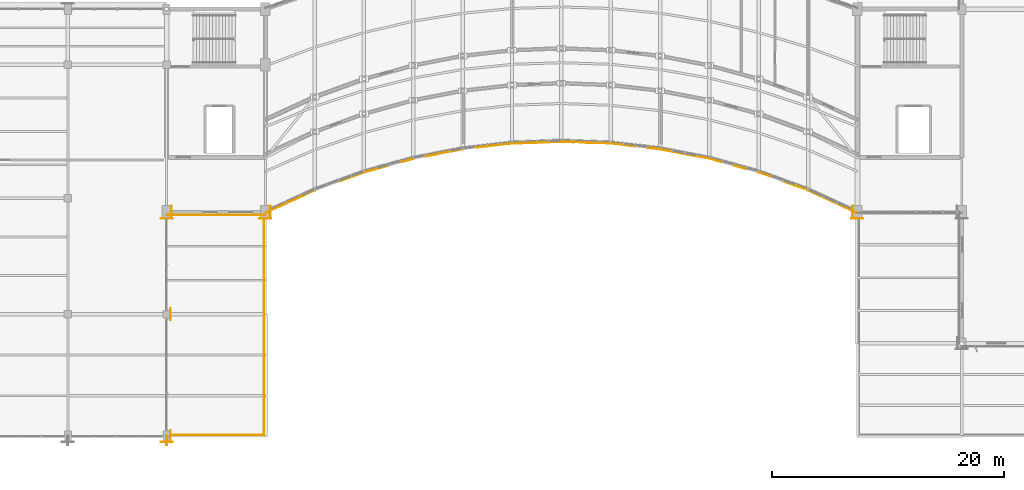
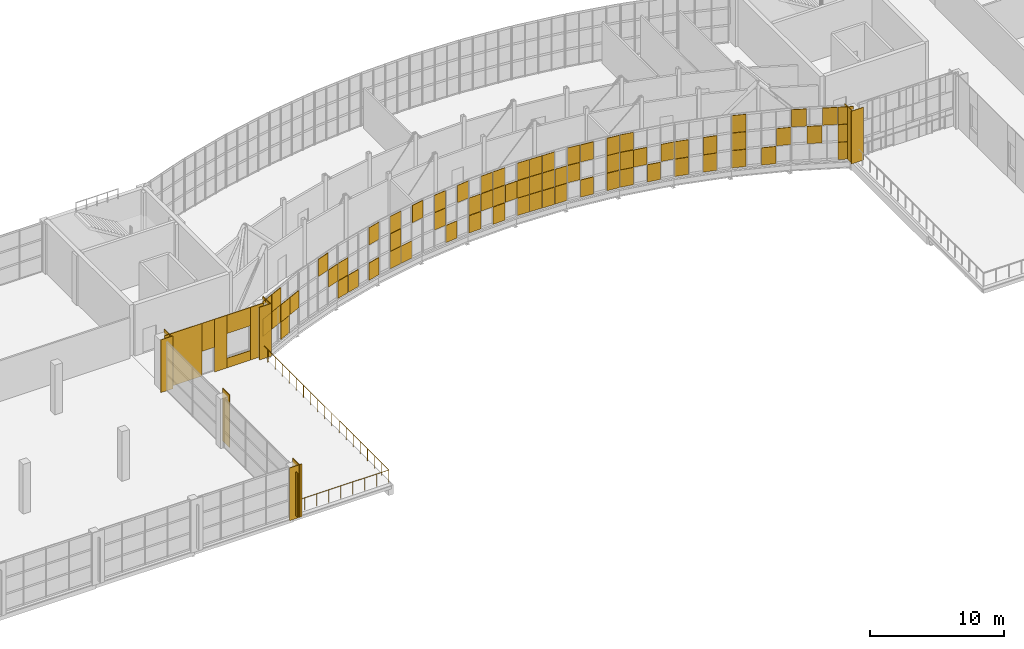
# One storey, part 80 of 86: 85 coverings, 1 railing, 1 shading device.
"""IFC4 building model written with IfcOpenShell, lengths in metres."""

from ifc_helpers import new_model, si_unit, direction, frame, origin, origin_2d, place, context, subcontext, project, spatial, rectangle, hollow_rectangle, circle, extrude, material, layer, layer_set, material_profile, profile_set, type_object, element, save


model = new_model("IFC4")

# Units and contexts
model_context = context("Model", 3, precision=1e-05, world=origin(), true_north=direction((0.0, 1.0)))
body_context = subcontext(model_context, "Body", "Model", "MODEL_VIEW")
ifc_project = project(units=[si_unit("LENGTHUNIT", "METRE"), si_unit("AREAUNIT", "SQUARE_METRE"), si_unit("VOLUMEUNIT", "CUBIC_METRE"), si_unit("PLANEANGLEUNIT", "RADIAN"), si_unit("MASSUNIT", "GRAM", prefix="KILO")], contexts=[model_context])

# Site, building, storey
site_placement = place(None, origin())
site = spatial("IfcSite", under=ifc_project, at=site_placement, CompositionType="ELEMENT")
building_placement = place(site_placement, origin())
building = spatial("IfcBuilding", under=site, at=building_placement, Name="Solvikara Media Centre", CompositionType="ELEMENT")
storey_placement = place(building_placement, frame((0.0, 0.0, 15.0)))
storey = spatial("IfcBuildingStorey", under=building, at=storey_placement, Name="L03", CompositionType="ELEMENT", Elevation=15.0)

# Coverings
ifc_material_1 = material(Name="GFRC white mineral architectural rainscreen panel")
ifc_layer_1 = layer(ifc_material_1, 0.050048828125)
ifc_layer_set_1 = layer_set([ifc_layer_1], Name="GFRC white mineral architectural rainscreen panel")
covering_type_1 = type_object("IfcCoveringType", Name="CV-04", PredefinedType="CLADDING", material=ifc_layer_set_1)
for number, where, z_axis, x_axis, name in (
    (1, (68.324951171875, 0.0, 0.0), (0.0, 0.0, 1.0), (0.0, 1.0, 0.0), "PIL-L03-142"),
    (2, (68.0, -0.47509765625, 0.0), (0.0, 0.0, 1.0), (1.0, 0.0, 0.0), "PIL-L03-143"),
    (3, (68.35009765625, 10.5, 0.0), (0.0, 0.0, 1.0), (0.0, 1.0, 0.0), "PIL-L03-148"),
    (4, (68.425048828125, 19.323974609375, 0.0), (0.0, 0.0, 1.0), (0.0, 1.0, 0.0), "PIL-L03-163"),
    (5, (68.0, 18.7490234375, 0.0), (0.0, 0.0, 1.0), (1.0, 0.0, 0.0), "PIL-L03-164"),
    (6, (76.925048828125, 19.323974609375, 0.0), (0.0, 0.0, 1.0), (0.0, 1.0, 0.0), "PIL-L03-177"),
    (7, (76.5, 18.7490234375, 0.0), (0.0, 0.0, 1.0), (1.0, 0.0, 0.0), "PIL-L03-178"),
    (8, (127.5, 18.7490234375, 0.0), (0.0, 0.0, 1.0), (1.0, 0.0, 0.0), "PIL-L03-259"),
    (9, (127.074951171875, 19.323974609375, 0.0), (0.0, 0.0, 1.0), (0.0, -1.0, 0.0), "PIL-L03-260"),
):
    element("IfcCovering", number, at=place(storey_placement, frame(where, z_axis=z_axis, x_axis=x_axis)), inside=storey, type_object=covering_type_1, Name=name, PredefinedType="CLADDING", context=body_context, shape_type="SweptSolid", body=[
        extrude(rectangle(XDim=1.0400390625, YDim=0.050048828125, at=origin_2d()), origin(), (0.0, 0.0, 1.0), 4.800048828125),
    ])
for number, where, z_axis, x_axis, name in (
    (10, (78.133056640625, 19.971923828125, 3.21484375), (0.0, 0.0, 1.0), (0.908675846917, 0.417502341586, 0.0), "CW-L03-SARC-00-SF-12"),
    (11, (79.195068359375, 20.4609375, 1.61474609375), (0.0, 0.0, 1.0), (0.908187010791, 0.418564634711, 0.0), "CW-L03-SARC-00-SF-21"),
    (12, (80.258056640625, 20.948974609375, 1.61474609375), (0.0, 0.0, 1.0), (0.908675846917, 0.417502341586, 0.0), "CW-L03-SARC-00-SF-31"),
):
    element("IfcCovering", number, at=place(storey_placement, frame(where, z_axis=z_axis, x_axis=x_axis)), inside=storey, type_object=covering_type_1, Name=name, PredefinedType="CLADDING", context=body_context, shape_type="SweptSolid", body=[
        extrude(rectangle(XDim=1.139892578125, YDim=0.050048828125, at=origin_2d()), origin(), (0.0, 0.0, 1.0), 1.570068359375),
    ])
covering_1_placement = place(storey_placement, frame((83.43896484375, 22.156005859375, 3.21484375), z_axis=(0.0, 0.0, 1.0), x_axis=(0.939901373663, 0.341446053991, 0.0)))
element("IfcCovering", 13, at=covering_1_placement, inside=storey, type_object=covering_type_1, Name="CW-L03-SARC-01-SF-22", PredefinedType="CLADDING", context=body_context, shape_type="SweptSolid", body=[
    extrude(rectangle(XDim=1.10107421875, YDim=0.050048828125, at=origin_2d()), origin(), (0.0, 0.0, 1.0), 1.570068359375),
])
covering_2_placement = place(storey_placement, frame((84.5009765625, 22.54296875, 1.61474609375), z_axis=(0.0, 0.0, 1.0), x_axis=(0.939794058841, 0.341741315862, 0.0)))
element("IfcCovering", 14, at=covering_2_placement, inside=storey, type_object=covering_type_1, Name="CW-L03-SARC-01-SF-31", PredefinedType="CLADDING", context=body_context, shape_type="SweptSolid", body=[
    extrude(rectangle(XDim=1.10009765625, YDim=0.050048828125, at=origin_2d()), origin(), (0.0, 0.0, 1.0), 1.570068359375),
])
for number, where, z_axis, x_axis, name in (
    (15, (85.555908203125, 22.8798828125, 0.01513671875), (0.0, 0.0, 1.0), (0.964049041264, 0.265724379832, 0.0), "CW-L03-SARC-02-SF-00"),
    (16, (86.618896484375, 23.172119140625, 0.01513671875), (0.0, 0.0, 1.0), (0.964049041264, 0.265724379832, 0.0), "CW-L03-SARC-02-SF-10"),
    (17, (88.743896484375, 23.758056640625, 0.01513671875), (0.0, 0.0, 1.0), (0.964049041264, 0.265724379832, 0.0), "CW-L03-SARC-02-SF-30"),
):
    element("IfcCovering", number, at=place(storey_placement, frame(where, z_axis=z_axis, x_axis=x_axis)), inside=storey, type_object=covering_type_1, Name=name, PredefinedType="CLADDING", context=body_context, shape_type="SweptSolid", body=[
        extrude(rectangle(XDim=1.072998046875, YDim=0.050048828125, at=origin_2d()), origin(), (0.0, 0.0, 1.0), 1.570068359375),
    ])
for number, where, z_axis, x_axis, name in (
    (18, (90.862060546875, 24.2119140625, 1.61474609375), (0.0, 0.0, 1.0), (0.981766789998, 0.190089373868, 0.0), "CW-L03-SARC-03-SF-11"),
    (19, (92.987060546875, 24.623046875, 3.21484375), (0.0, 0.0, 1.0), (0.981766789998, 0.190089373868, 0.0), "CW-L03-SARC-03-SF-32"),
):
    element("IfcCovering", number, at=place(storey_placement, frame(where, z_axis=z_axis, x_axis=x_axis)), inside=storey, type_object=covering_type_1, Name=name, PredefinedType="CLADDING", context=body_context, shape_type="SweptSolid", body=[
        extrude(rectangle(XDim=1.052001953125, YDim=0.050048828125, at=origin_2d()), origin(), (0.0, 0.0, 1.0), 1.570068359375),
    ])
covering_3_placement = place(storey_placement, frame((98.284912109375, 25.23193359375, 0.01513671875), z_axis=(0.0, 0.0, 1.0), x_axis=(0.999286838934, 0.037759946144, 0.0)))
element("IfcCovering", 20, at=covering_3_placement, inside=storey, type_object=covering_type_1, Name="CW-L03-SARC-05-SF-00", PredefinedType="CLADDING", context=body_context, shape_type="SweptSolid", body=[
    extrude(rectangle(XDim=1.032958984375, YDim=0.050048828125, at=origin_2d()), origin(), (0.0, 0.0, 1.0), 1.570068359375),
])
covering_4_placement = place(storey_placement, frame((99.346923828125, 25.27099609375, 1.61474609375), z_axis=(0.0, 0.0, 1.0), x_axis=(0.999288156396, 0.03772506443, 0.0)))
element("IfcCovering", 21, at=covering_4_placement, inside=storey, type_object=covering_type_1, Name="CW-L03-SARC-05-SF-11", PredefinedType="CLADDING", context=body_context, shape_type="SweptSolid", body=[
    extrude(rectangle(XDim=1.033935546875, YDim=0.050048828125, at=origin_2d()), origin(), (0.0, 0.0, 1.0), 1.570068359375),
])
covering_5_placement = place(storey_placement, frame((100.409912109375, 25.31201171875, 0.01513671875), z_axis=(0.0, 0.0, 1.0), x_axis=(0.999286838934, 0.037759946144, 0.0)))
element("IfcCovering", 22, at=covering_5_placement, inside=storey, type_object=covering_type_1, Name="CW-L03-SARC-05-SF-20", PredefinedType="CLADDING", context=body_context, shape_type="SweptSolid", body=[
    extrude(rectangle(XDim=1.032958984375, YDim=0.050048828125, at=origin_2d()), origin(), (0.0, 0.0, 1.0), 1.570068359375),
])
for number, where, z_axis, x_axis, name in (
    (23, (101.471923828125, 25.35205078125, 1.61474609375), (0.0, 0.0, 1.0), (0.999288156396, 0.03772506443, 0.0), "CW-L03-SARC-05-SF-31"),
    (24, (102.528076171875, 25.35205078125, 1.61474609375), (0.0, 0.0, 1.0), (0.999288156396, -0.03772506443, 0.0), "CW-L03-SARC-06-SF-01"),
    (25, (104.653076171875, 25.27099609375, 0.01513671875), (0.0, 0.0, 1.0), (0.999288156396, -0.03772506443, 0.0), "CW-L03-SARC-06-SF-20"),
):
    element("IfcCovering", number, at=place(storey_placement, frame(where, z_axis=z_axis, x_axis=x_axis)), inside=storey, type_object=covering_type_1, Name=name, PredefinedType="CLADDING", context=body_context, shape_type="SweptSolid", body=[
        extrude(rectangle(XDim=1.033935546875, YDim=0.050048828125, at=origin_2d()), origin(), (0.0, 0.0, 1.0), 1.570068359375),
    ])
for number, where, z_axis, x_axis, name in (
    (26, (107.8330078125, 25.029052734375, 0.01513671875), (0.0, 0.0, 1.0), (0.993526332942, -0.113602049942, 0.0), "CW-L03-SARC-07-SF-10"),
    (27, (107.8330078125, 25.029052734375, 3.21484375), (0.0, 0.0, 1.0), (0.993526332942, -0.113602049942, 0.0), "CW-L03-SARC-07-SF-12"),
    (28, (109.9580078125, 24.784912109375, 0.01513671875), (0.0, 0.0, 1.0), (0.993416825068, -0.114555714269, 0.0), "CW-L03-SARC-07-SF-30"),
    (29, (109.9580078125, 24.784912109375, 3.21484375), (0.0, 0.0, 1.0), (0.993416825068, -0.114555714269, 0.0), "CW-L03-SARC-07-SF-32"),
):
    element("IfcCovering", number, at=place(storey_placement, frame(where, z_axis=z_axis, x_axis=x_axis)), inside=storey, type_object=covering_type_1, Name=name, PredefinedType="CLADDING", context=body_context, shape_type="SweptSolid", body=[
        extrude(rectangle(XDim=1.0390625, YDim=0.050048828125, at=origin_2d()), origin(), (0.0, 0.0, 1.0), 1.570068359375),
    ])
for number, where, z_axis, x_axis, name in (
    (30, (111.012939453125, 24.623046875, 1.61474609375), (0.0, 0.0, 1.0), (0.981766789998, -0.190089373868, 0.0), "CW-L03-SARC-08-SF-01"),
    (31, (112.075927734375, 24.41796875, 1.61474609375), (0.0, 0.0, 1.0), (0.981945508951, -0.18916399618, 0.0), "CW-L03-SARC-08-SF-11"),
    (32, (113.137939453125, 24.2119140625, 0.01513671875), (0.0, 0.0, 1.0), (0.981766789998, -0.190089373868, 0.0), "CW-L03-SARC-08-SF-20"),
):
    element("IfcCovering", number, at=place(storey_placement, frame(where, z_axis=z_axis, x_axis=x_axis)), inside=storey, type_object=covering_type_1, Name=name, PredefinedType="CLADDING", context=body_context, shape_type="SweptSolid", body=[
        extrude(rectangle(XDim=1.052001953125, YDim=0.050048828125, at=origin_2d()), origin(), (0.0, 0.0, 1.0), 1.570068359375),
    ])
covering_6_placement = place(storey_placement, frame((117.381103515625, 23.172119140625, 1.61474609375), z_axis=(0.0, 0.0, 1.0), x_axis=(0.964049041264, -0.265724379832, 0.0)))
element("IfcCovering", 33, at=covering_6_placement, inside=storey, type_object=covering_type_1, Name="CW-L03-SARC-09-SF-21", PredefinedType="CLADDING", context=body_context, shape_type="SweptSolid", body=[
    extrude(rectangle(XDim=1.072998046875, YDim=0.050048828125, at=origin_2d()), origin(), (0.0, 0.0, 1.0), 1.570068359375),
])
covering_7_placement = place(storey_placement, frame((121.6240234375, 21.77001953125, 0.01513671875), z_axis=(0.0, 0.0, 1.0), x_axis=(0.939794058841, -0.341741315862, 0.0)))
element("IfcCovering", 34, at=covering_7_placement, inside=storey, type_object=covering_type_1, Name="CW-L03-SARC-10-SF-20", PredefinedType="CLADDING", context=body_context, shape_type="SweptSolid", body=[
    extrude(rectangle(XDim=1.10009765625, YDim=0.050048828125, at=origin_2d()), origin(), (0.0, 0.0, 1.0), 1.570068359375),
])
for number, where, z_axis, x_axis, name in (
    (35, (123.741943359375, 20.948974609375, 3.21484375), (0.0, 0.0, 1.0), (0.908675846917, -0.417502341586, 0.0), "CW-L03-SARC-11-SF-02"),
    (36, (124.804931640625, 20.4609375, 1.61474609375), (0.0, 0.0, 1.0), (0.908187010791, -0.418564634711, 0.0), "CW-L03-SARC-11-SF-11"),
    (37, (125.866943359375, 19.971923828125, 3.21484375), (0.0, 0.0, 1.0), (0.908675846917, -0.417502341586, 0.0), "CW-L03-SARC-11-SF-22"),
):
    element("IfcCovering", number, at=place(storey_placement, frame(where, z_axis=z_axis, x_axis=x_axis)), inside=storey, type_object=covering_type_1, Name=name, PredefinedType="CLADDING", context=body_context, shape_type="SweptSolid", body=[
        extrude(rectangle(XDim=1.139892578125, YDim=0.050048828125, at=origin_2d()), origin(), (0.0, 0.0, 1.0), 1.570068359375),
    ])
for number, where, z_axis, x_axis, name in (
    (38, (126.929931640625, 19.48291015625, 0.01513671875), (0.0, 0.0, 1.0), (0.908522763286, -0.417835360629, 0.0), "CW-L03-SARC-11-SF-30"),
    (39, (126.929931640625, 19.48291015625, 1.61474609375), (0.0, 0.0, 1.0), (0.908522763286, -0.417835360629, 0.0), "CW-L03-SARC-11-SF-31"),
    (40, (126.929931640625, 19.48291015625, 3.21484375), (0.0, 0.0, 1.0), (0.908522763286, -0.417835360629, 0.0), "CW-L03-SARC-11-SF-32"),
):
    element("IfcCovering", number, at=place(storey_placement, frame(where, z_axis=z_axis, x_axis=x_axis)), inside=storey, type_object=covering_type_1, Name=name, PredefinedType="CLADDING", context=body_context, shape_type="SweptSolid", body=[
        extrude(rectangle(XDim=1.138916015625, YDim=0.050048828125, at=origin_2d()), origin(), (0.0, 0.0, 1.0), 1.570068359375),
    ])
covering_8_placement = place(storey_placement, frame((69.60009765625, 19.0791015625, 0.0), z_axis=(0.0, 0.0, 1.0), x_axis=(1.0, 0.0, 0.0)))
element("IfcCovering", 41, at=covering_8_placement, inside=storey, type_object=covering_type_1, Name="L03-BHWS-CV-F01", PredefinedType="CLADDING", context=body_context, shape_type="SweptSolid", body=[
    extrude(rectangle(XDim=3.199951171875, YDim=0.050048828125, at=origin_2d()), origin(), (0.0, 0.0, 1.0), 4.800048828125),
])
covering_9_placement = place(storey_placement, frame((71.75, 19.0791015625, 2.25), z_axis=(0.0, 0.0, 1.0), x_axis=(1.0, 0.0, 0.0)))
element("IfcCovering", 42, at=covering_9_placement, inside=storey, type_object=covering_type_1, Name="L03-BHWS-CV-D02", PredefinedType="CLADDING", context=body_context, shape_type="SweptSolid", body=[
    extrude(rectangle(XDim=1.10009765625, YDim=0.050048828125, at=origin_2d()), origin(), (0.0, 0.0, 1.0), 2.550048828125),
])
covering_10_placement = place(storey_placement, frame((72.837890625, 19.0791015625, 0.0), z_axis=(0.0, 0.0, 1.0), x_axis=(1.0, 0.0, 0.0)))
element("IfcCovering", 43, at=covering_10_placement, inside=storey, type_object=covering_type_1, Name="L03-BHWS-CV-F03", PredefinedType="CLADDING", context=body_context, shape_type="SweptSolid", body=[
    extrude(rectangle(XDim=1.074951171875, YDim=0.050048828125, at=origin_2d()), origin(), (0.0, 0.0, 1.0), 4.800048828125),
])
covering_11_placement = place(storey_placement, frame((74.375, 19.0791015625, 0.0), z_axis=(0.0, 0.0, 1.0), x_axis=(1.0, 0.0, 0.0)))
element("IfcCovering", 44, at=covering_11_placement, inside=storey, type_object=covering_type_1, Name="L03-BHWS-CV-S04", PredefinedType="CLADDING", context=body_context, shape_type="SweptSolid", body=[
    extrude(rectangle(XDim=2.0, YDim=0.050048828125, at=origin_2d()), origin(), (0.0, 0.0, 1.0), 0.8701171875),
])
covering_12_placement = place(storey_placement, frame((74.375, 19.0791015625, 3.130126953125), z_axis=(0.0, 0.0, 1.0), x_axis=(1.0, 0.0, 0.0)))
element("IfcCovering", 45, at=covering_12_placement, inside=storey, type_object=covering_type_1, Name="L03-BHWS-CV-H04", PredefinedType="CLADDING", context=body_context, shape_type="SweptSolid", body=[
    extrude(rectangle(XDim=2.0, YDim=0.050048828125, at=origin_2d()), origin(), (0.0, 0.0, 1.0), 1.669921875),
])
covering_13_placement = place(storey_placement, frame((75.93798828125, 19.0791015625, 0.0), z_axis=(0.0, 0.0, 1.0), x_axis=(1.0, 0.0, 0.0)))
element("IfcCovering", 46, at=covering_13_placement, inside=storey, type_object=covering_type_1, Name="L03-BHWS-CV-F05", PredefinedType="CLADDING", context=body_context, shape_type="SweptSolid", body=[
    extrude(rectangle(XDim=1.125, YDim=0.050048828125, at=origin_2d()), origin(), (0.0, 0.0, 1.0), 4.800048828125),
])
ifc_material_2 = material(Name="Insulated silver-pearl glass spandrel panel", Category="glass")
ifc_layer_2 = layer(ifc_material_2, 0.034912109375)
ifc_layer_set_2 = layer_set([ifc_layer_2], Name="Insulated silver-pearl glass spandrel panel")
covering_type_2 = type_object("IfcCoveringType", Name="CV-06", PredefinedType="CLADDING", material=ifc_layer_set_2)
for number, where, z_axis, x_axis, name in (
    (47, (77.06689453125, 19.491943359375, 1.61474609375), (0.0, 0.0, 1.0), (0.908522763286, 0.417835360629, 0.0), "CW-L03-SARC-00-PX-01"),
    (48, (77.06689453125, 19.491943359375, 3.21484375), (0.0, 0.0, 1.0), (0.908522763286, 0.417835360629, 0.0), "CW-L03-SARC-00-PX-02"),
    (49, (78.12890625, 19.98095703125, 1.61474609375), (0.0, 0.0, 1.0), (0.908522763286, 0.417835360629, 0.0), "CW-L03-SARC-00-PX-11"),
):
    element("IfcCovering", number, at=place(storey_placement, frame(where, z_axis=z_axis, x_axis=x_axis)), inside=storey, type_object=covering_type_2, Name=name, PredefinedType="CLADDING", context=body_context, shape_type="SweptSolid", body=[
        extrude(rectangle(XDim=1.138916015625, YDim=0.034912109375, at=origin_2d()), origin(), (0.0, 0.0, 1.0), 1.570068359375),
    ])
covering_14_placement = place(storey_placement, frame((79.19189453125, 20.469970703125, 0.01513671875), z_axis=(0.0, 0.0, 1.0), x_axis=(0.908187010791, 0.418564634711, 0.0)))
element("IfcCovering", 50, at=covering_14_placement, inside=storey, type_object=covering_type_2, Name="CW-L03-SARC-00-PX-20", PredefinedType="CLADDING", context=body_context, shape_type="SweptSolid", body=[
    extrude(rectangle(XDim=1.139892578125, YDim=0.034912109375, at=origin_2d()), origin(), (0.0, 0.0, 1.0), 1.570068359375),
])
covering_15_placement = place(storey_placement, frame((85.552978515625, 22.888916015625, 1.61474609375), z_axis=(0.0, 0.0, 1.0), x_axis=(0.963984083771, 0.265959933516, 0.0)))
element("IfcCovering", 51, at=covering_15_placement, inside=storey, type_object=covering_type_2, Name="CW-L03-SARC-02-PX-01", PredefinedType="CLADDING", context=body_context, shape_type="SweptSolid", body=[
    extrude(rectangle(XDim=1.072021484375, YDim=0.034912109375, at=origin_2d()), origin(), (0.0, 0.0, 1.0), 1.570068359375),
])
covering_16_placement = place(storey_placement, frame((88.740966796875, 23.76904296875, 3.21484375), z_axis=(0.0, 0.0, 1.0), x_axis=(0.964049041264, 0.265724379832, 0.0)))
element("IfcCovering", 52, at=covering_16_placement, inside=storey, type_object=covering_type_2, Name="CW-L03-SARC-02-PX-32", PredefinedType="CLADDING", context=body_context, shape_type="SweptSolid", body=[
    extrude(rectangle(XDim=1.072998046875, YDim=0.034912109375, at=origin_2d()), origin(), (0.0, 0.0, 1.0), 1.570068359375),
])
for number, where, z_axis, x_axis, name in (
    (53, (90.85888671875, 24.221923828125, 0.01513671875), (0.0, 0.0, 1.0), (0.981766789998, 0.190089373868, 0.0), "CW-L03-SARC-03-PX-10"),
    (54, (90.85888671875, 24.221923828125, 3.21484375), (0.0, 0.0, 1.0), (0.981766789998, 0.190089373868, 0.0), "CW-L03-SARC-03-PX-12"),
    (55, (91.922119140625, 24.427001953125, 0.01513671875), (0.0, 0.0, 1.0), (0.981766789998, 0.190089373868, 0.0), "CW-L03-SARC-03-PX-20"),
):
    element("IfcCovering", number, at=place(storey_placement, frame(where, z_axis=z_axis, x_axis=x_axis)), inside=storey, type_object=covering_type_2, Name=name, PredefinedType="CLADDING", context=body_context, shape_type="SweptSolid", body=[
        extrude(rectangle(XDim=1.052001953125, YDim=0.034912109375, at=origin_2d()), origin(), (0.0, 0.0, 1.0), 1.570068359375),
    ])
for number, where, z_axis, x_axis, name in (
    (56, (95.10302734375, 24.9169921875, 1.61474609375), (0.0, 0.0, 1.0), (0.993538223873, 0.113498007485, 0.0), "CW-L03-SARC-04-PX-11"),
    (57, (95.10302734375, 24.9169921875, 3.21484375), (0.0, 0.0, 1.0), (0.993538223873, 0.113498007485, 0.0), "CW-L03-SARC-04-PX-12"),
    (58, (96.166015625, 25.0390625, 0.01513671875), (0.0, 0.0, 1.0), (0.993538223873, 0.113498007485, 0.0), "CW-L03-SARC-04-PX-20"),
    (59, (97.22802734375, 25.160888671875, 3.21484375), (0.0, 0.0, 1.0), (0.993538223873, 0.113498007485, 0.0), "CW-L03-SARC-04-PX-32"),
):
    element("IfcCovering", number, at=place(storey_placement, frame(where, z_axis=z_axis, x_axis=x_axis)), inside=storey, type_object=covering_type_2, Name=name, PredefinedType="CLADDING", context=body_context, shape_type="SweptSolid", body=[
        extrude(rectangle(XDim=1.0400390625, YDim=0.034912109375, at=origin_2d()), origin(), (0.0, 0.0, 1.0), 1.570068359375),
    ])
covering_17_placement = place(storey_placement, frame((98.284912109375, 25.241943359375, 1.61474609375), z_axis=(0.0, 0.0, 1.0), x_axis=(0.999288156396, 0.03772506443, 0.0)))
element("IfcCovering", 60, at=covering_17_placement, inside=storey, type_object=covering_type_2, Name="CW-L03-SARC-05-PX-01", PredefinedType="CLADDING", context=body_context, shape_type="SweptSolid", body=[
    extrude(rectangle(XDim=1.033935546875, YDim=0.034912109375, at=origin_2d()), origin(), (0.0, 0.0, 1.0), 1.570068359375),
])
covering_18_placement = place(storey_placement, frame((99.346923828125, 25.281982421875, 3.21484375), z_axis=(0.0, 0.0, 1.0), x_axis=(0.999286838934, 0.037759946144, 0.0)))
element("IfcCovering", 61, at=covering_18_placement, inside=storey, type_object=covering_type_2, Name="CW-L03-SARC-05-PX-12", PredefinedType="CLADDING", context=body_context, shape_type="SweptSolid", body=[
    extrude(rectangle(XDim=1.032958984375, YDim=0.034912109375, at=origin_2d()), origin(), (0.0, 0.0, 1.0), 1.570068359375),
])
for number, where, z_axis, x_axis, name in (
    (62, (100.409912109375, 25.322021484375, 1.61474609375), (0.0, 0.0, 1.0), (0.999288156396, 0.03772506443, 0.0), "CW-L03-SARC-05-PX-21"),
    (63, (100.409912109375, 25.322021484375, 3.21484375), (0.0, 0.0, 1.0), (0.999288156396, 0.03772506443, 0.0), "CW-L03-SARC-05-PX-22"),
):
    element("IfcCovering", number, at=place(storey_placement, frame(where, z_axis=z_axis, x_axis=x_axis)), inside=storey, type_object=covering_type_2, Name=name, PredefinedType="CLADDING", context=body_context, shape_type="SweptSolid", body=[
        extrude(rectangle(XDim=1.033935546875, YDim=0.034912109375, at=origin_2d()), origin(), (0.0, 0.0, 1.0), 1.570068359375),
    ])
for number, where, z_axis, x_axis, name in (
    (64, (102.528076171875, 25.363037109375, 0.01513671875), (0.0, 0.0, 1.0), (0.999286838934, -0.037759946144, 0.0), "CW-L03-SARC-06-PX-00"),
    (65, (102.528076171875, 25.363037109375, 3.21484375), (0.0, 0.0, 1.0), (0.999286838934, -0.037759946144, 0.0), "CW-L03-SARC-06-PX-02"),
):
    element("IfcCovering", number, at=place(storey_placement, frame(where, z_axis=z_axis, x_axis=x_axis)), inside=storey, type_object=covering_type_2, Name=name, PredefinedType="CLADDING", context=body_context, shape_type="SweptSolid", body=[
        extrude(rectangle(XDim=1.032958984375, YDim=0.034912109375, at=origin_2d()), origin(), (0.0, 0.0, 1.0), 1.570068359375),
    ])
for number, where, z_axis, x_axis, name in (
    (66, (103.590087890625, 25.322021484375, 0.01513671875), (0.0, 0.0, 1.0), (0.999288156396, -0.03772506443, 0.0), "CW-L03-SARC-06-PX-10"),
    (67, (103.590087890625, 25.322021484375, 1.61474609375), (0.0, 0.0, 1.0), (0.999288156396, -0.03772506443, 0.0), "CW-L03-SARC-06-PX-11"),
    (68, (103.590087890625, 25.322021484375, 3.21484375), (0.0, 0.0, 1.0), (0.999288156396, -0.03772506443, 0.0), "CW-L03-SARC-06-PX-12"),
):
    element("IfcCovering", number, at=place(storey_placement, frame(where, z_axis=z_axis, x_axis=x_axis)), inside=storey, type_object=covering_type_2, Name=name, PredefinedType="CLADDING", context=body_context, shape_type="SweptSolid", body=[
        extrude(rectangle(XDim=1.033935546875, YDim=0.034912109375, at=origin_2d()), origin(), (0.0, 0.0, 1.0), 1.570068359375),
    ])
for number, where, z_axis, x_axis, name in (
    (69, (104.653076171875, 25.281982421875, 1.61474609375), (0.0, 0.0, 1.0), (0.999286838934, -0.037759946144, 0.0), "CW-L03-SARC-06-PX-21"),
    (70, (104.653076171875, 25.281982421875, 3.21484375), (0.0, 0.0, 1.0), (0.999286838934, -0.037759946144, 0.0), "CW-L03-SARC-06-PX-22"),
):
    element("IfcCovering", number, at=place(storey_placement, frame(where, z_axis=z_axis, x_axis=x_axis)), inside=storey, type_object=covering_type_2, Name=name, PredefinedType="CLADDING", context=body_context, shape_type="SweptSolid", body=[
        extrude(rectangle(XDim=1.032958984375, YDim=0.034912109375, at=origin_2d()), origin(), (0.0, 0.0, 1.0), 1.570068359375),
    ])
for number, where, z_axis, x_axis, name in (
    (71, (105.715087890625, 25.241943359375, 0.01513671875), (0.0, 0.0, 1.0), (0.999288156396, -0.03772506443, 0.0), "CW-L03-SARC-06-PX-30"),
    (72, (105.715087890625, 25.241943359375, 1.61474609375), (0.0, 0.0, 1.0), (0.999288156396, -0.03772506443, 0.0), "CW-L03-SARC-06-PX-31"),
):
    element("IfcCovering", number, at=place(storey_placement, frame(where, z_axis=z_axis, x_axis=x_axis)), inside=storey, type_object=covering_type_2, Name=name, PredefinedType="CLADDING", context=body_context, shape_type="SweptSolid", body=[
        extrude(rectangle(XDim=1.033935546875, YDim=0.034912109375, at=origin_2d()), origin(), (0.0, 0.0, 1.0), 1.570068359375),
    ])
for number, where, z_axis, x_axis, name in (
    (73, (106.77197265625, 25.160888671875, 1.61474609375), (0.0, 0.0, 1.0), (0.993538223873, -0.113498007485, 0.0), "CW-L03-SARC-07-PX-01"),
    (74, (106.77197265625, 25.160888671875, 3.21484375), (0.0, 0.0, 1.0), (0.993538223873, -0.113498007485, 0.0), "CW-L03-SARC-07-PX-02"),
    (75, (109.958984375, 24.7958984375, 1.61474609375), (0.0, 0.0, 1.0), (0.993430813275, -0.114434344654, 0.0), "CW-L03-SARC-07-PX-31"),
):
    element("IfcCovering", number, at=place(storey_placement, frame(where, z_axis=z_axis, x_axis=x_axis)), inside=storey, type_object=covering_type_2, Name=name, PredefinedType="CLADDING", context=body_context, shape_type="SweptSolid", body=[
        extrude(rectangle(XDim=1.0400390625, YDim=0.034912109375, at=origin_2d()), origin(), (0.0, 0.0, 1.0), 1.570068359375),
    ])
for number, where, z_axis, x_axis, name in (
    (76, (111.01611328125, 24.633056640625, 0.01513671875), (0.0, 0.0, 1.0), (0.981766789998, -0.190089373868, 0.0), "CW-L03-SARC-08-PX-00"),
    (77, (111.01611328125, 24.633056640625, 3.21484375), (0.0, 0.0, 1.0), (0.981766789998, -0.190089373868, 0.0), "CW-L03-SARC-08-PX-02"),
    (78, (114.202880859375, 24.01611328125, 1.61474609375), (0.0, 0.0, 1.0), (0.981766789998, -0.190089373868, 0.0), "CW-L03-SARC-08-PX-31"),
):
    element("IfcCovering", number, at=place(storey_placement, frame(where, z_axis=z_axis, x_axis=x_axis)), inside=storey, type_object=covering_type_2, Name=name, PredefinedType="CLADDING", context=body_context, shape_type="SweptSolid", body=[
        extrude(rectangle(XDim=1.052001953125, YDim=0.034912109375, at=origin_2d()), origin(), (0.0, 0.0, 1.0), 1.570068359375),
    ])
for number, where, z_axis, x_axis, name in (
    (79, (115.259033203125, 23.76904296875, 0.01513671875), (0.0, 0.0, 1.0), (0.964049041264, -0.265724379832, 0.0), "CW-L03-SARC-09-PX-00"),
    (80, (115.259033203125, 23.76904296875, 1.61474609375), (0.0, 0.0, 1.0), (0.964049041264, -0.265724379832, 0.0), "CW-L03-SARC-09-PX-01"),
    (81, (117.384033203125, 23.181884765625, 0.01513671875), (0.0, 0.0, 1.0), (0.964049041264, -0.265724379832, 0.0), "CW-L03-SARC-09-PX-20"),
):
    element("IfcCovering", number, at=place(storey_placement, frame(where, z_axis=z_axis, x_axis=x_axis)), inside=storey, type_object=covering_type_2, Name=name, PredefinedType="CLADDING", context=body_context, shape_type="SweptSolid", body=[
        extrude(rectangle(XDim=1.072998046875, YDim=0.034912109375, at=origin_2d()), origin(), (0.0, 0.0, 1.0), 1.570068359375),
    ])
for number, where, z_axis, x_axis, name in (
    (82, (119.501953125, 22.552001953125, 0.01513671875), (0.0, 0.0, 1.0), (0.939901373663, -0.341446053991, 0.0), "CW-L03-SARC-10-PX-00"),
    (83, (119.501953125, 22.552001953125, 1.61474609375), (0.0, 0.0, 1.0), (0.939901373663, -0.341446053991, 0.0), "CW-L03-SARC-10-PX-01"),
    (84, (119.501953125, 22.552001953125, 3.21484375), (0.0, 0.0, 1.0), (0.939901373663, -0.341446053991, 0.0), "CW-L03-SARC-10-PX-02"),
):
    element("IfcCovering", number, at=place(storey_placement, frame(where, z_axis=z_axis, x_axis=x_axis)), inside=storey, type_object=covering_type_2, Name=name, PredefinedType="CLADDING", context=body_context, shape_type="SweptSolid", body=[
        extrude(rectangle(XDim=1.10107421875, YDim=0.034912109375, at=origin_2d()), origin(), (0.0, 0.0, 1.0), 1.570068359375),
    ])
covering_19_placement = place(storey_placement, frame((122.68994140625, 21.39306640625, 1.61474609375), z_axis=(0.0, 0.0, 1.0), x_axis=(0.939794058841, -0.341741315862, 0.0)))
element("IfcCovering", 85, at=covering_19_placement, inside=storey, type_object=covering_type_2, Name="CW-L03-SARC-10-PX-31", PredefinedType="CLADDING", context=body_context, shape_type="SweptSolid", body=[
    extrude(rectangle(XDim=1.10009765625, YDim=0.034912109375, at=origin_2d()), origin(), (0.0, 0.0, 1.0), 1.570068359375),
])

# Railing
ifc_material_3 = material(Name="Steel S355JR", Category="steel")
railing_type = type_object("IfcRailingType", Name="GR-01", PredefinedType="GUARDRAIL", material=ifc_material_3)
railing_placement = place(storey_placement, frame((68.1201171875, 0.1201171875, 0.0)))
element("IfcRailing", 86, at=railing_placement, inside=storey, type_object=railing_type, Name="GR-TER-L03-V6S", PredefinedType="GUARDRAIL", context=body_context, shape_type="SweptSolid", body=[
    extrude(circle(Radius=0.02392578125, at=origin_2d()), frame((0.0, 0.0, 1.1259765625), z_axis=(1.0, 0.0, 0.0), x_axis=(0.0, 1.0, 0.0)), (0.0, 0.0, 1.0), 8.259765625),
    extrude(circle(Radius=0.02392578125, at=origin_2d()), frame((8.259765625, 0.0, 1.1259765625), z_axis=(0.0, 1.0, 0.0), x_axis=(-1.0, 0.0, 0.0)), (0.0, 0.0, 1.0), 19.099853515625),
    extrude(circle(Radius=0.02099609375, at=origin_2d()), origin(), (0.0, 0.0, 1.0), 1.101806640625),
    extrude(circle(Radius=0.02099609375, at=origin_2d()), frame((1.032470703125, 0.0, 0.0)), (0.0, 0.0, 1.0), 1.101806640625),
    extrude(circle(Radius=0.02099609375, at=origin_2d()), frame((2.06494140625, 0.0, 0.0)), (0.0, 0.0, 1.0), 1.101806640625),
    extrude(circle(Radius=0.02099609375, at=origin_2d()), frame((3.097412109375, 0.0, 0.0)), (0.0, 0.0, 1.0), 1.101806640625),
    extrude(circle(Radius=0.02099609375, at=origin_2d()), frame((4.1298828125, 0.0, 0.0)), (0.0, 0.0, 1.0), 1.101806640625),
    extrude(circle(Radius=0.02099609375, at=origin_2d()), frame((5.162353515625, 0.0, 0.0)), (0.0, 0.0, 1.0), 1.101806640625),
    extrude(circle(Radius=0.02099609375, at=origin_2d()), frame((6.19482421875, 0.0, 0.0)), (0.0, 0.0, 1.0), 1.101806640625),
    extrude(circle(Radius=0.02099609375, at=origin_2d()), frame((7.227294921875, 0.0, 0.0)), (0.0, 0.0, 1.0), 1.101806640625),
    extrude(circle(Radius=0.02099609375, at=origin_2d()), frame((8.259765625, 0.0, 0.0)), (0.0, 0.0, 1.0), 1.101806640625),
    extrude(circle(Radius=0.02099609375, at=origin_2d()), frame((8.259765625, 1.06103515625, 0.0)), (0.0, 0.0, 1.0), 1.101806640625),
    extrude(circle(Radius=0.02099609375, at=origin_2d()), frame((8.259765625, 2.122314453125, 0.0)), (0.0, 0.0, 1.0), 1.101806640625),
    extrude(circle(Radius=0.02099609375, at=origin_2d()), frame((8.259765625, 3.183349609375, 0.0)), (0.0, 0.0, 1.0), 1.101806640625),
    extrude(circle(Radius=0.02099609375, at=origin_2d()), frame((8.259765625, 4.244384765625, 0.0)), (0.0, 0.0, 1.0), 1.101806640625),
    extrude(circle(Radius=0.02099609375, at=origin_2d()), frame((8.259765625, 5.305419921875, 0.0)), (0.0, 0.0, 1.0), 1.101806640625),
    extrude(circle(Radius=0.02099609375, at=origin_2d()), frame((8.259765625, 6.36669921875, 0.0)), (0.0, 0.0, 1.0), 1.101806640625),
    extrude(circle(Radius=0.02099609375, at=origin_2d()), frame((8.259765625, 7.427734375, 0.0)), (0.0, 0.0, 1.0), 1.101806640625),
    extrude(circle(Radius=0.02099609375, at=origin_2d()), frame((8.259765625, 8.48876953125, 0.0)), (0.0, 0.0, 1.0), 1.101806640625),
    extrude(circle(Radius=0.02099609375, at=origin_2d()), frame((8.259765625, 9.5498046875, 0.0)), (0.0, 0.0, 1.0), 1.101806640625),
    extrude(circle(Radius=0.02099609375, at=origin_2d()), frame((8.259765625, 10.611083984375, 0.0)), (0.0, 0.0, 1.0), 1.101806640625),
    extrude(circle(Radius=0.02099609375, at=origin_2d()), frame((8.259765625, 11.672119140625, 0.0)), (0.0, 0.0, 1.0), 1.101806640625),
    extrude(circle(Radius=0.02099609375, at=origin_2d()), frame((8.259765625, 12.733154296875, 0.0)), (0.0, 0.0, 1.0), 1.101806640625),
    extrude(circle(Radius=0.02099609375, at=origin_2d()), frame((8.259765625, 13.79443359375, 0.0)), (0.0, 0.0, 1.0), 1.101806640625),
    extrude(circle(Radius=0.02099609375, at=origin_2d()), frame((8.259765625, 14.85546875, 0.0)), (0.0, 0.0, 1.0), 1.101806640625),
    extrude(circle(Radius=0.02099609375, at=origin_2d()), frame((8.259765625, 15.91650390625, 0.0)), (0.0, 0.0, 1.0), 1.101806640625),
    extrude(circle(Radius=0.02099609375, at=origin_2d()), frame((8.259765625, 16.9775390625, 0.0)), (0.0, 0.0, 1.0), 1.101806640625),
    extrude(circle(Radius=0.02099609375, at=origin_2d()), frame((8.259765625, 18.038818359375, 0.0)), (0.0, 0.0, 1.0), 1.101806640625),
    extrude(circle(Radius=0.02099609375, at=origin_2d()), frame((8.259765625, 19.099853515625, 0.0)), (0.0, 0.0, 1.0), 1.101806640625),
])

# Shading device
ifc_material_4 = material(Name="Anodised aluminium EN AW-6063", Category="aluminium")
ifc_material_profile = material_profile(ifc_material_4, hollow_rectangle(XDim=0.080078125, YDim=0.800048828125, WallThickness=0.00390625, at=origin_2d()), Name="ALU-FIN 80x800x4")
ifc_profile_set = profile_set([ifc_material_profile], Name="Anodised aluminium EN AW-6063")
shading_device_type = type_object("IfcShadingDeviceType", Name="SH-01", PredefinedType="USERDEFINED", material=ifc_profile_set)
shading_device_placement = place(storey_placement, frame((68.0, -0.35009765625, 0.300048828125), z_axis=(0.0, 0.0, 1.0), x_axis=(1.0, 0.0, 0.0)))
element("IfcShadingDevice", 87, at=shading_device_placement, inside=storey, type_object=shading_device_type, Name="FIN-L03-015", ObjectType="FIN", PredefinedType="USERDEFINED", context=body_context, shape_type="SweptSolid", body=[
    extrude(hollow_rectangle(XDim=0.080078125, YDim=0.800048828125, WallThickness=0.00390625, at=origin_2d()), origin(), (0.0, 0.0, 1.0), 4.0),
])

save(model, "model.ifc")
